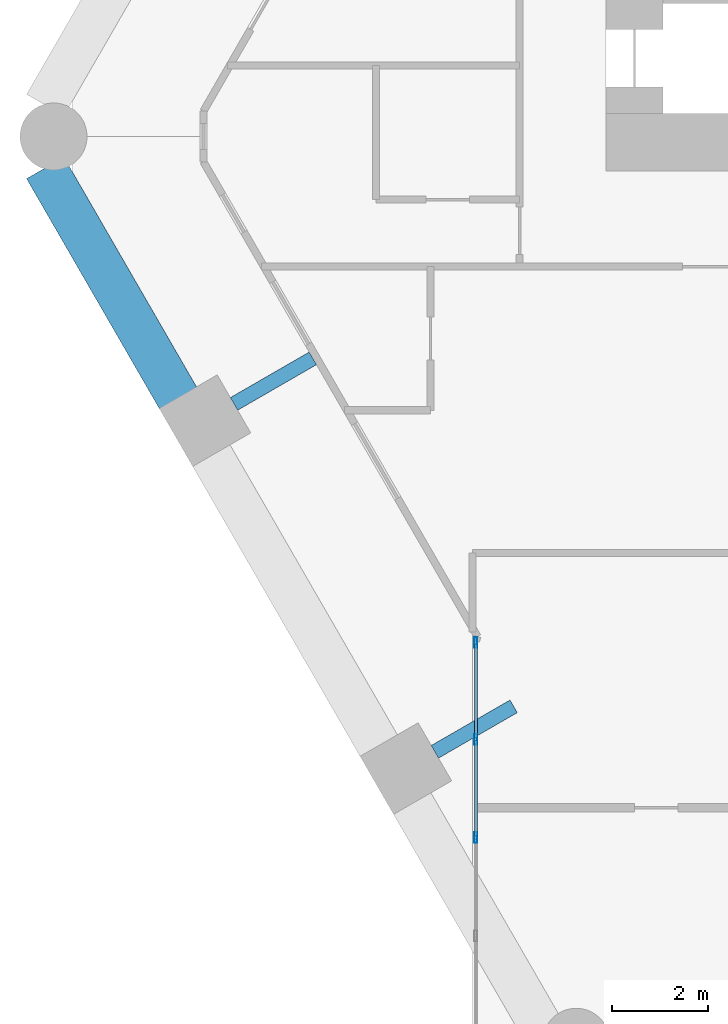
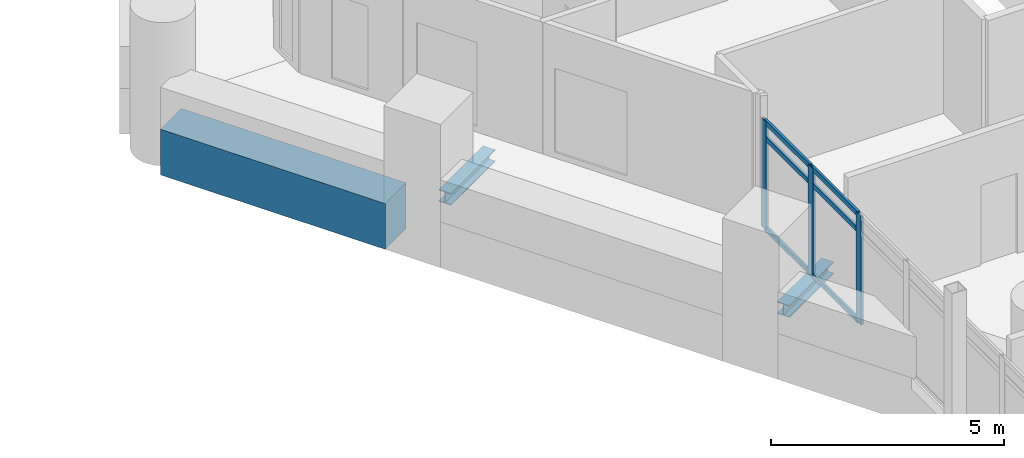
# One storey, part 9 of 28: 9 members, 3 beams, 1 element without a shape of its own.
"""IFC4 building model written with IfcOpenShell, lengths in metres."""

from ifc_helpers import new_model, si_unit, direction, frame, origin, origin_2d, place, context, subcontext, project, spatial, rectangle, hollow_rectangle, i_section, extrude, material, material_profile, profile_set, type_object, element, aggregate, save


model = new_model("IFC4")

# Units and contexts
model_context = context("Model", 3, precision=1e-05, world=origin(), true_north=direction((0.0, 1.0)))
body_context = subcontext(model_context, "Body", "Model", "MODEL_VIEW")
ifc_project = project(units=[si_unit("LENGTHUNIT", "METRE"), si_unit("AREAUNIT", "SQUARE_METRE"), si_unit("VOLUMEUNIT", "CUBIC_METRE"), si_unit("PLANEANGLEUNIT", "RADIAN"), si_unit("MASSUNIT", "GRAM", prefix="KILO")], contexts=[model_context])

# Site, building, storey
site_placement = place(None, origin())
site = spatial("IfcSite", under=ifc_project, at=site_placement, CompositionType="ELEMENT")
building_placement = place(site_placement, origin())
building = spatial("IfcBuilding", under=site, at=building_placement, Name="Ostrander Bayou Hotel Tower", CompositionType="ELEMENT")
storey_placement = place(building_placement, frame((0.0, 0.0, 76.75)))
storey = spatial("IfcBuildingStorey", under=building, at=storey_placement, Name="L19", CompositionType="ELEMENT", Elevation=76.75)

# Curtain wall, members
ifc_material_1 = material(Name="Aluminium and clear glass", Category="aluminium")
curtain_wall_type = type_object("IfcCurtainWallType", Name="CW-BAR glazed wall", PredefinedType="NOTDEFINED", material=ifc_material_1)
curtain_wall_placement = place(storey_placement, origin())
curtain_wall = element("IfcCurtainWall", 1, at=curtain_wall_placement, inside=storey, type_object=curtain_wall_type, Name="CW-BAR L19:SB1S:E", PredefinedType="NOTDEFINED")
ifc_material_2 = material(Name="Aluminium", Category="aluminium")
ifc_material_profile_1 = material_profile(ifc_material_2, hollow_rectangle(XDim=0.06005859375, YDim=0.219970703125, WallThickness=0.00390625, at=origin_2d()))
ifc_profile_set_1 = profile_set([ifc_material_profile_1], Name="Aluminium")
member_type_1 = type_object("IfcMemberType", Name="CW-BR mullion 60 x 220 mm", PredefinedType="MULLION", material=ifc_profile_set_1)
member_1_placement = place(storey_placement, frame((-14.712158203125, -11.547607421875, 0.0), z_axis=(0.0, 0.0, 1.0), x_axis=(1.0, 0.0, 0.0)))
member_1 = element("IfcMember", 2, at=member_1_placement, type_object=member_type_1, Name="CW-BAR mullion 1", PredefinedType="MULLION", context=body_context, shape_type="SweptSolid", body=[
    extrude(hollow_rectangle(XDim=0.06005859375, YDim=0.219970703125, WallThickness=0.00390625, at=origin_2d()), origin(), (0.0, 0.0, 1.0), 2.85009765625),
])
member_2_placement = place(storey_placement, frame((-14.712158203125, -13.571044921875, 0.0), z_axis=(0.0, 0.0, 1.0), x_axis=(1.0, 0.0, 0.0)))
member_2 = element("IfcMember", 3, at=member_2_placement, type_object=member_type_1, Name="CW-BAR mullion 2", PredefinedType="MULLION", context=body_context, shape_type="SweptSolid", body=[
    extrude(hollow_rectangle(XDim=0.06005859375, YDim=0.219970703125, WallThickness=0.00390625, at=origin_2d()), origin(), (0.0, 0.0, 1.0), 2.85009765625),
])
member_3_placement = place(storey_placement, frame((-14.712158203125, -15.62451171875, 0.0), z_axis=(0.0, 0.0, 1.0), x_axis=(1.0, 0.0, 0.0)))
member_3 = element("IfcMember", 4, at=member_3_placement, type_object=member_type_1, Name="CW-BAR mullion 3", PredefinedType="MULLION", context=body_context, shape_type="SweptSolid", body=[
    extrude(hollow_rectangle(XDim=0.06005859375, YDim=0.219970703125, WallThickness=0.00390625, at=origin_2d()), origin(), (0.0, 0.0, 1.0), 2.85009765625),
])
ifc_material_3 = material(Name="Aluminium", Category="aluminium")
ifc_material_profile_2 = material_profile(ifc_material_3, hollow_rectangle(XDim=0.06005859375, YDim=0.1298828125, WallThickness=0.00390625, at=origin_2d()))
ifc_profile_set_2 = profile_set([ifc_material_profile_2], Name="Aluminium")
member_type_2 = type_object("IfcMemberType", Name="CW-BR transom 60 x 130 mm", PredefinedType="USERDEFINED", material=ifc_profile_set_2)
member_4_placement = place(storey_placement, frame((-14.712158203125, -11.57763671875, 0.030029296875), z_axis=(0.0, -1.0, 0.0), x_axis=(1.0, 0.0, 0.0)))
member_4 = element("IfcMember", 5, at=member_4_placement, type_object=member_type_2, Name="CW-BAR transom 1.1", ObjectType="TRANSOM", PredefinedType="USERDEFINED", context=body_context, shape_type="SweptSolid", body=[
    extrude(hollow_rectangle(XDim=0.06005859375, YDim=0.1298828125, WallThickness=0.00390625, at=origin_2d()), origin(), (0.0, 0.0, 1.0), 1.96337890625),
])
member_5_placement = place(storey_placement, frame((-14.712158203125, -11.57763671875, 2.39990234375), z_axis=(0.0, -1.0, 0.0), x_axis=(1.0, 0.0, 0.0)))
member_5 = element("IfcMember", 6, at=member_5_placement, type_object=member_type_2, Name="CW-BAR transom 1.2", ObjectType="TRANSOM", PredefinedType="USERDEFINED", context=body_context, shape_type="SweptSolid", body=[
    extrude(hollow_rectangle(XDim=0.06005859375, YDim=0.1298828125, WallThickness=0.00390625, at=origin_2d()), origin(), (0.0, 0.0, 1.0), 1.96337890625),
])
member_6_placement = place(storey_placement, frame((-14.712158203125, -11.57763671875, 2.820068359375), z_axis=(0.0, -1.0, 0.0), x_axis=(1.0, 0.0, 0.0)))
member_6 = element("IfcMember", 7, at=member_6_placement, type_object=member_type_2, Name="CW-BAR transom 1.3", ObjectType="TRANSOM", PredefinedType="USERDEFINED", context=body_context, shape_type="SweptSolid", body=[
    extrude(hollow_rectangle(XDim=0.06005859375, YDim=0.1298828125, WallThickness=0.00390625, at=origin_2d()), origin(), (0.0, 0.0, 1.0), 1.96337890625),
])
member_7_placement = place(storey_placement, frame((-14.712158203125, -13.60107421875, 0.030029296875), z_axis=(0.0, -1.0, 0.0), x_axis=(1.0, 0.0, 0.0)))
member_7 = element("IfcMember", 8, at=member_7_placement, type_object=member_type_2, Name="CW-BAR transom 2.1", ObjectType="TRANSOM", PredefinedType="USERDEFINED", context=body_context, shape_type="SweptSolid", body=[
    extrude(hollow_rectangle(XDim=0.06005859375, YDim=0.1298828125, WallThickness=0.00390625, at=origin_2d()), origin(), (0.0, 0.0, 1.0), 1.993408203125),
])
member_8_placement = place(storey_placement, frame((-14.712158203125, -13.60107421875, 2.39990234375), z_axis=(0.0, -1.0, 0.0), x_axis=(1.0, 0.0, 0.0)))
member_8 = element("IfcMember", 9, at=member_8_placement, type_object=member_type_2, Name="CW-BAR transom 2.2", ObjectType="TRANSOM", PredefinedType="USERDEFINED", context=body_context, shape_type="SweptSolid", body=[
    extrude(hollow_rectangle(XDim=0.06005859375, YDim=0.1298828125, WallThickness=0.00390625, at=origin_2d()), origin(), (0.0, 0.0, 1.0), 1.993408203125),
])
member_9_placement = place(storey_placement, frame((-14.712158203125, -13.60107421875, 2.820068359375), z_axis=(0.0, -1.0, 0.0), x_axis=(1.0, 0.0, 0.0)))
member_9 = element("IfcMember", 10, at=member_9_placement, type_object=member_type_2, Name="CW-BAR transom 2.3", ObjectType="TRANSOM", PredefinedType="USERDEFINED", context=body_context, shape_type="SweptSolid", body=[
    extrude(hollow_rectangle(XDim=0.06005859375, YDim=0.1298828125, WallThickness=0.00390625, at=origin_2d()), origin(), (0.0, 0.0, 1.0), 1.993408203125),
])
aggregate(curtain_wall, [member_1, member_2, member_3, member_4, member_5, member_6, member_7, member_8, member_9])

# Beams
ifc_material_4 = material(Name="Steel ASTM A992", Category="steel")
ifc_material_profile_3 = material_profile(ifc_material_4, i_section(OverallWidth=0.3046875, OverallDepth=0.307861328125, WebThickness=0.010009765625, FlangeThickness=0.015380859375, at=origin_2d()))
ifc_profile_set_3 = profile_set([ifc_material_profile_3], Name="Steel ASTM A992")
beam_type_1 = type_object("IfcBeamType", Name="LB1 loggia bracket W12x65", PredefinedType="BEAM", material=ifc_profile_set_3)
beam_1_placement = place(storey_placement, frame((-19.7646484375, -6.566650390625, -0.453857421875), z_axis=(0.866044365799, 0.499967155389, 0.0), x_axis=(-0.499967155389, 0.866044365799, 0.0)))
element("IfcBeam", 11, at=beam_1_placement, inside=storey, type_object=beam_type_1, Name="LB1 L19 SW1", PredefinedType="BEAM", context=body_context, shape_type="SweptSolid", body=[
    extrude(i_section(OverallWidth=0.3046875, OverallDepth=0.307861328125, WebThickness=0.010009765625, FlangeThickness=0.015380859375, at=origin_2d()), origin(), (0.0, 0.0, 1.0), 1.900146484375),
])
beam_2_placement = place(storey_placement, frame((-15.569091796875, -13.833251953125, -0.453857421875), z_axis=(0.86601224135, 0.500022797313, 0.0), x_axis=(-0.500022797313, 0.86601224135, 0.0)))
element("IfcBeam", 12, at=beam_2_placement, inside=storey, type_object=beam_type_1, Name="LB1 L19 SW2", PredefinedType="BEAM", context=body_context, shape_type="SweptSolid", body=[
    extrude(i_section(OverallWidth=0.3046875, OverallDepth=0.307861328125, WebThickness=0.010009765625, FlangeThickness=0.015380859375, at=origin_2d()), origin(), (0.0, 0.0, 1.0), 1.89990234375),
])
ifc_material_5 = material(Name="Concrete f'c 70 MPa", Category="concrete")
ifc_material_profile_4 = material_profile(ifc_material_5, rectangle(XDim=0.89990234375, YDim=1.199951171875, at=origin_2d()))
ifc_profile_set_4 = profile_set([ifc_material_profile_4], Name="Concrete f'c 70 MPa")
beam_type_2 = type_object("IfcBeamType", Name="SP1 spandrel beam 900 x 1200 mm f'c 70 MPa", PredefinedType="SPANDREL", material=ifc_profile_set_4)
beam_3_placement = place(storey_placement, frame((-23.707275390625, -1.637939453125, -0.60009765625), z_axis=(0.500009557824, -0.866019885502, 0.0), x_axis=(0.866019885502, 0.500009557824, 0.0)))
element("IfcBeam", 13, at=beam_3_placement, inside=storey, type_object=beam_type_2, Name="SP1 L19 SW-1", PredefinedType="SPANDREL", context=body_context, shape_type="SweptSolid", body=[
    extrude(rectangle(XDim=0.89990234375, YDim=1.199951171875, at=origin_2d()), origin(), (0.0, 0.0, 1.0), 5.56982421875),
])

save(model, "model.ifc")
